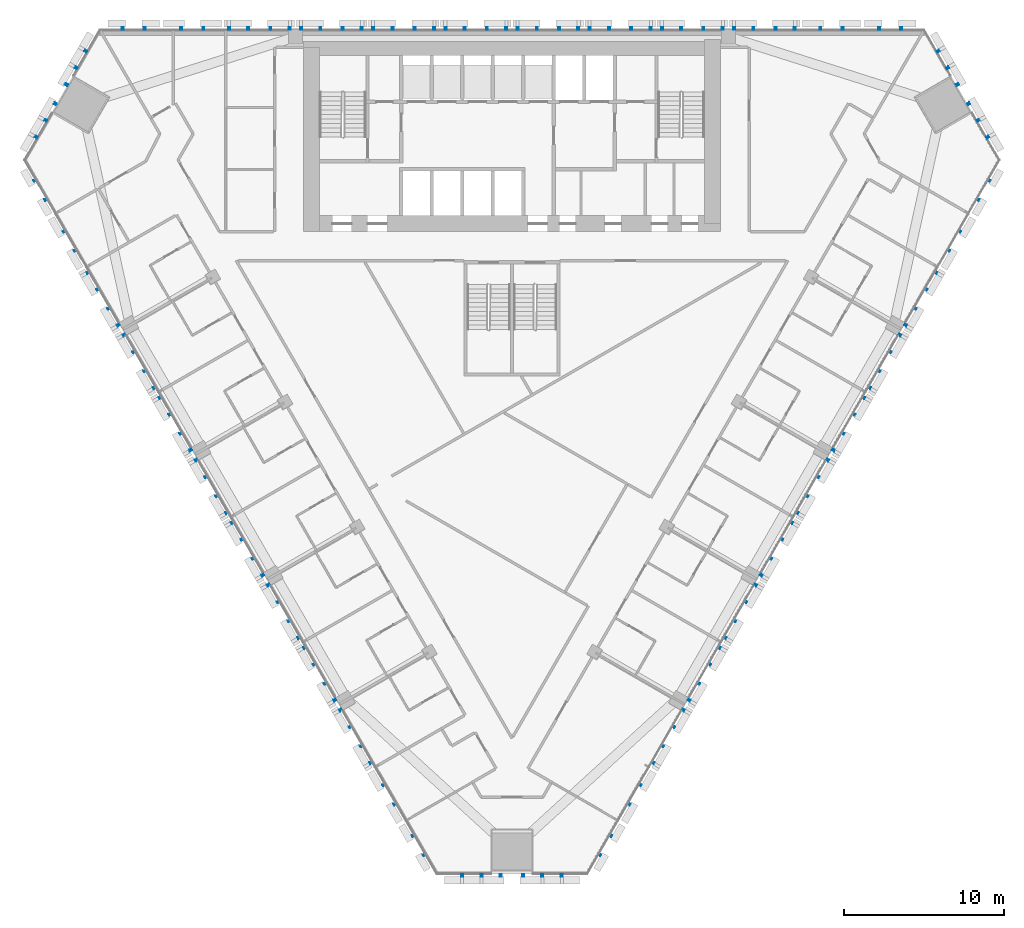
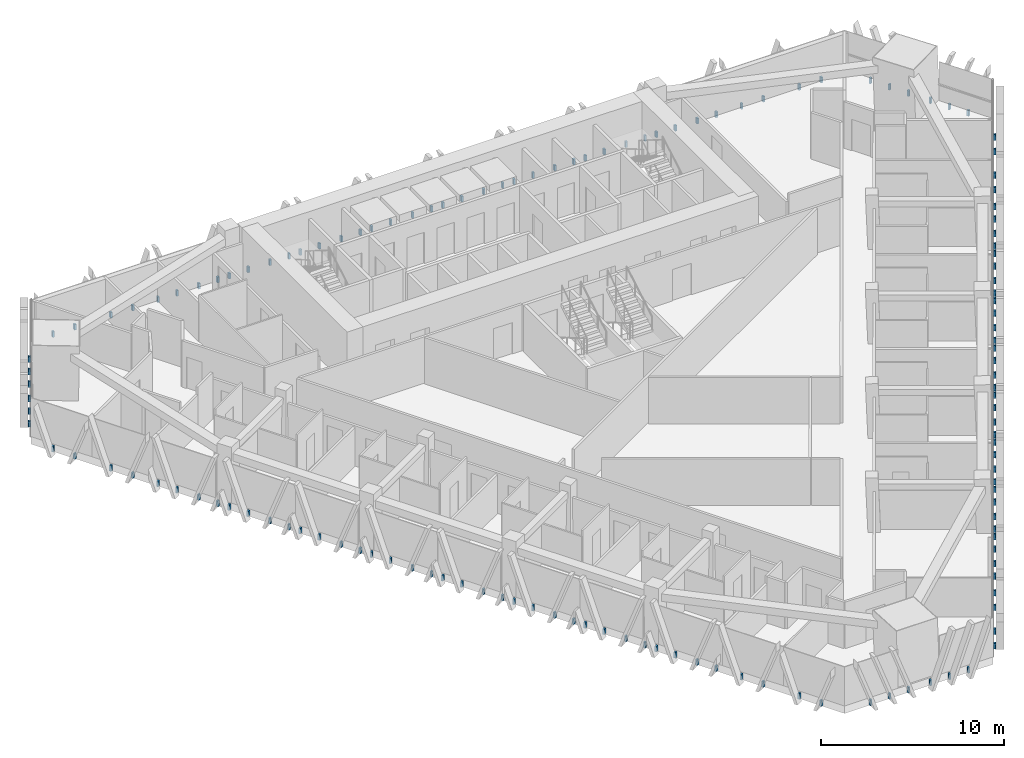
# One storey, part 14 of 17: 6 discrete accessories.
"""IFC4 building model written with IfcOpenShell, lengths in metres."""

from ifc_helpers import new_model, si_unit, direction, frame, origin, place, context, subcontext, project, spatial, polyline, outline, extrude, source, transform, mapped, material, type_object, element, save


model = new_model("IFC4")

# Units and contexts
model_context = context("Model", 3, precision=1e-05, world=origin(), true_north=direction((0.0, 1.0)))
body_context = subcontext(model_context, "Body", "Model", "MODEL_VIEW")
ifc_project = project(units=[si_unit("LENGTHUNIT", "METRE"), si_unit("AREAUNIT", "SQUARE_METRE"), si_unit("VOLUMEUNIT", "CUBIC_METRE"), si_unit("PLANEANGLEUNIT", "RADIAN"), si_unit("MASSUNIT", "GRAM", prefix="KILO")], contexts=[model_context])

# Site, building, storey
site_placement = place(None, origin())
site = spatial("IfcSite", under=ifc_project, at=site_placement, CompositionType="ELEMENT")
building_placement = place(site_placement, origin())
building = spatial("IfcBuilding", under=site, at=building_placement, Name="Altiplano Prism Tower", CompositionType="ELEMENT")
storey_placement = place(building_placement, frame((0.0, 0.0, 55.800048828125)))
storey = spatial("IfcBuildingStorey", under=building, at=storey_placement, Name="L13", CompositionType="ELEMENT", Elevation=55.800048828125)

# Discrete accessories
ifc_material = material(Name="Stainless steel", Category="steel")
discrete_accessory_type = type_object("IfcDiscreteAccessoryType", Name="Stone fin fixing prongs", PredefinedType="USERDEFINED", material=ifc_material)
shared_shape_1 = source(origin(), body_context, "Body", "SweptSolid", [
    extrude(outline(polyline([(-0.7509765625, 0.06005859375), (-0.631103515625, 0.06005859375), (-0.631103515625, 0.43994140625), (-0.7509765625, 0.43994140625), (-0.7509765625, 0.06005859375)])), frame((0.0, 0.0, 0.0), z_axis=(0.0, -1.0, 0.0), x_axis=(1.0, 0.0, 0.0)), (0.0, 0.0, 1.0), 0.14990234375),
    extrude(outline(polyline([(0.631103515625, 0.06005859375), (0.7509765625, 0.06005859375), (0.7509765625, 0.43994140625), (0.631103515625, 0.43994140625), (0.631103515625, 0.06005859375)])), frame((0.0, 0.0, 0.0), z_axis=(0.0, -1.0, 0.0), x_axis=(1.0, 0.0, 0.0)), (0.0, 0.0, 1.0), 0.14990234375),
])
shared_shape_2 = source(origin(), body_context, "Body", "SweptSolid", [
    extrude(outline(polyline([(-0.7509765625, 0.06005859375), (-0.631103515625, 0.06005859375), (-0.631103515625, 0.43994140625), (-0.7509765625, 0.43994140625), (-0.7509765625, 0.06005859375)])), frame((0.0, 0.0, 0.0), z_axis=(0.0, -1.0, 0.0), x_axis=(1.0, 0.0, 0.0)), (0.0, 0.0, 1.0), 0.14990234375),
    extrude(outline(polyline([(0.631103515625, 0.06005859375), (0.7509765625, 0.06005859375), (0.7509765625, 0.43994140625), (0.631103515625, 0.43994140625), (0.631103515625, 0.06005859375)])), frame((0.0, 0.0, 0.0), z_axis=(0.0, -1.0, 0.0), x_axis=(1.0, 0.0, 0.0)), (0.0, 0.0, 1.0), 0.14990234375),
])
shared_shape_3 = source(origin(), body_context, "Body", "SweptSolid", [
    extrude(outline(polyline([(-1.950927734375, 0.06005859375), (-1.8310546875, 0.06005859375), (-1.8310546875, 0.43994140625), (-1.950927734375, 0.43994140625), (-1.950927734375, 0.06005859375)])), frame((0.0, 0.0, 0.0), z_axis=(0.0, -1.0, 0.0), x_axis=(1.0, 0.0, 0.0)), (0.0, 0.0, 1.0), 0.14990234375),
    extrude(outline(polyline([(-0.7509765625, 0.06005859375), (-0.631103515625, 0.06005859375), (-0.631103515625, 0.43994140625), (-0.7509765625, 0.43994140625), (-0.7509765625, 0.06005859375)])), frame((0.0, 0.0, 0.0), z_axis=(0.0, -1.0, 0.0), x_axis=(1.0, 0.0, 0.0)), (0.0, 0.0, 1.0), 0.14990234375),
    extrude(outline(polyline([(0.631103515625, 0.06005859375), (0.7509765625, 0.06005859375), (0.7509765625, 0.43994140625), (0.631103515625, 0.43994140625), (0.631103515625, 0.06005859375)])), frame((0.0, 0.0, 0.0), z_axis=(0.0, -1.0, 0.0), x_axis=(1.0, 0.0, 0.0)), (0.0, 0.0, 1.0), 0.14990234375),
    extrude(outline(polyline([(1.8310546875, 0.06005859375), (1.950927734375, 0.06005859375), (1.950927734375, 0.43994140625), (1.8310546875, 0.43994140625), (1.8310546875, 0.06005859375)])), frame((0.0, 0.0, 0.0), z_axis=(0.0, -1.0, 0.0), x_axis=(1.0, 0.0, 0.0)), (0.0, 0.0, 1.0), 0.14990234375),
])
discrete_accessory_1_placement = place(storey_placement, origin())
element("IfcDiscreteAccessory", 1, at=discrete_accessory_1_placement, inside=storey, type_object=discrete_accessory_type, Name="Fin fixings L13 north face", ObjectType="BRACKET", PredefinedType="USERDEFINED", context=body_context, shape_type="MappedRepresentation", body=[
    mapped(shared_shape_1, transform((108.581787109375, 105.0, -0.5), x_axis=(-1.0, 0.0, 0.0), y_axis=(0.0, -1.0, 0.0), z_axis=(0.0, 0.0, 1.0))),
    mapped(shared_shape_2, transform((104.92724609375, 105.0, -0.5), x_axis=(-1.0, 0.0, 0.0), y_axis=(0.0, -1.0, 0.0), z_axis=(0.0, 0.0, 1.0))),
    mapped(shared_shape_3, transform((100.75, 105.0, -0.5), x_axis=(-1.0, 0.0, 0.0), y_axis=(0.0, -1.0, 0.0), z_axis=(0.0, 0.0, 1.0))),
    mapped(shared_shape_3, transform((96.25, 105.0, -0.5), x_axis=(-1.0, 0.0, 0.0), y_axis=(0.0, -1.0, 0.0), z_axis=(0.0, 0.0, 1.0))),
    mapped(shared_shape_3, transform((91.75, 105.0, -0.5), x_axis=(-1.0, 0.0, 0.0), y_axis=(0.0, -1.0, 0.0), z_axis=(0.0, 0.0, 1.0))),
    mapped(shared_shape_3, transform((87.25, 105.0, -0.5), x_axis=(-1.0, 0.0, 0.0), y_axis=(0.0, -1.0, 0.0), z_axis=(0.0, 0.0, 1.0))),
    mapped(shared_shape_3, transform((82.75, 105.0, -0.5), x_axis=(-1.0, 0.0, 0.0), y_axis=(0.0, -1.0, 0.0), z_axis=(0.0, 0.0, 1.0))),
    mapped(shared_shape_3, transform((78.25, 105.0, -0.5), x_axis=(-1.0, 0.0, 0.0), y_axis=(0.0, -1.0, 0.0), z_axis=(0.0, 0.0, 1.0))),
    mapped(shared_shape_3, transform((73.75, 105.0, -0.5), x_axis=(-1.0, 0.0, 0.0), y_axis=(0.0, -1.0, 0.0), z_axis=(0.0, 0.0, 1.0))),
    mapped(shared_shape_3, transform((69.25, 105.0, -0.5), x_axis=(-1.0, 0.0, 0.0), y_axis=(0.0, -1.0, 0.0), z_axis=(0.0, 0.0, 1.0))),
    mapped(shared_shape_2, transform((65.07275390625, 105.0, -0.5), x_axis=(-1.0, 0.0, 0.0), y_axis=(0.0, -1.0, 0.0), z_axis=(0.0, 0.0, 1.0))),
    mapped(shared_shape_1, transform((61.418212890625, 105.0, -0.5), x_axis=(-1.0, 0.0, 0.0), y_axis=(0.0, -1.0, 0.0), z_axis=(0.0, 0.0, 1.0))),
])
discrete_accessory_2_placement = place(storey_placement, origin())
element("IfcDiscreteAccessory", 2, at=discrete_accessory_2_placement, inside=storey, type_object=discrete_accessory_type, Name="Fin fixings L13 south-west face", ObjectType="BRACKET", PredefinedType="USERDEFINED", context=body_context, shape_type="MappedRepresentation", body=[
    mapped(shared_shape_1, transform((55.66259765625, 95.03076171875, -0.5), x_axis=(0.499999992175, -0.866025408302, 0.0), y_axis=(0.866025408302, 0.499999992175, 0.0), z_axis=(0.0, 0.0, 1.0))),
    mapped(shared_shape_2, transform((57.48974609375, 91.865966796875, -0.5), x_axis=(0.499999992175, -0.866025408302, 0.0), y_axis=(0.866025408302, 0.499999992175, 0.0), z_axis=(0.0, 0.0, 1.0))),
    mapped(shared_shape_3, transform((59.578369140625, 88.248291015625, -0.5), x_axis=(0.499999992175, -0.866025408302, 0.0), y_axis=(0.866025408302, 0.499999992175, 0.0), z_axis=(0.0, 0.0, 1.0))),
    mapped(shared_shape_3, transform((61.828369140625, 84.35107421875, -0.5), x_axis=(0.499999992175, -0.866025408302, 0.0), y_axis=(0.866025408302, 0.499999992175, 0.0), z_axis=(0.0, 0.0, 1.0))),
    mapped(shared_shape_3, transform((64.078369140625, 80.4541015625, -0.5), x_axis=(0.499999992175, -0.866025408302, 0.0), y_axis=(0.866025408302, 0.499999992175, 0.0), z_axis=(0.0, 0.0, 1.0))),
    mapped(shared_shape_3, transform((66.328369140625, 76.556884765625, -0.5), x_axis=(0.499999992175, -0.866025408302, 0.0), y_axis=(0.866025408302, 0.499999992175, 0.0), z_axis=(0.0, 0.0, 1.0))),
    mapped(shared_shape_3, transform((68.578369140625, 72.659912109375, -0.5), x_axis=(0.499999992175, -0.866025408302, 0.0), y_axis=(0.866025408302, 0.499999992175, 0.0), z_axis=(0.0, 0.0, 1.0))),
    mapped(shared_shape_3, transform((70.828369140625, 68.7626953125, -0.5), x_axis=(0.499999992175, -0.866025408302, 0.0), y_axis=(0.866025408302, 0.499999992175, 0.0), z_axis=(0.0, 0.0, 1.0))),
    mapped(shared_shape_3, transform((73.078369140625, 64.865478515625, -0.5), x_axis=(0.499999992175, -0.866025408302, 0.0), y_axis=(0.866025408302, 0.499999992175, 0.0), z_axis=(0.0, 0.0, 1.0))),
    mapped(shared_shape_3, transform((75.328369140625, 60.968505859375, -0.5), x_axis=(0.499999992175, -0.866025408302, 0.0), y_axis=(0.866025408302, 0.499999992175, 0.0), z_axis=(0.0, 0.0, 1.0))),
    mapped(shared_shape_2, transform((77.4169921875, 57.350830078125, -0.5), x_axis=(0.499999992175, -0.866025408302, 0.0), y_axis=(0.866025408302, 0.499999992175, 0.0), z_axis=(0.0, 0.0, 1.0))),
    mapped(shared_shape_1, transform((79.244140625, 54.18603515625, -0.5), x_axis=(0.499999992175, -0.866025408302, 0.0), y_axis=(0.866025408302, 0.499999992175, 0.0), z_axis=(0.0, 0.0, 1.0))),
])
discrete_accessory_3_placement = place(storey_placement, origin())
element("IfcDiscreteAccessory", 3, at=discrete_accessory_3_placement, inside=storey, type_object=discrete_accessory_type, Name="Fin fixings L13 south-east face", ObjectType="BRACKET", PredefinedType="USERDEFINED", context=body_context, shape_type="MappedRepresentation", body=[
    mapped(shared_shape_1, transform((90.755859375, 54.18603515625, -0.5), x_axis=(0.499999992175, 0.866025408302, 0.0), y_axis=(-0.866025408302, 0.499999992175, 0.0), z_axis=(0.0, 0.0, 1.0))),
    mapped(shared_shape_2, transform((92.5830078125, 57.350830078125, -0.5), x_axis=(0.499999992175, 0.866025408302, 0.0), y_axis=(-0.866025408302, 0.499999992175, 0.0), z_axis=(0.0, 0.0, 1.0))),
    mapped(shared_shape_3, transform((94.671630859375, 60.968505859375, -0.5), x_axis=(0.499999992175, 0.866025408302, 0.0), y_axis=(-0.866025408302, 0.499999992175, 0.0), z_axis=(0.0, 0.0, 1.0))),
    mapped(shared_shape_3, transform((96.921630859375, 64.865478515625, -0.5), x_axis=(0.499999992175, 0.866025408302, 0.0), y_axis=(-0.866025408302, 0.499999992175, 0.0), z_axis=(0.0, 0.0, 1.0))),
    mapped(shared_shape_3, transform((99.171630859375, 68.7626953125, -0.5), x_axis=(0.499999992175, 0.866025408302, 0.0), y_axis=(-0.866025408302, 0.499999992175, 0.0), z_axis=(0.0, 0.0, 1.0))),
    mapped(shared_shape_3, transform((101.421630859375, 72.659912109375, -0.5), x_axis=(0.499999992175, 0.866025408302, 0.0), y_axis=(-0.866025408302, 0.499999992175, 0.0), z_axis=(0.0, 0.0, 1.0))),
    mapped(shared_shape_3, transform((103.671630859375, 76.556884765625, -0.5), x_axis=(0.499999992175, 0.866025408302, 0.0), y_axis=(-0.866025408302, 0.499999992175, 0.0), z_axis=(0.0, 0.0, 1.0))),
    mapped(shared_shape_3, transform((105.921630859375, 80.4541015625, -0.5), x_axis=(0.499999992175, 0.866025408302, 0.0), y_axis=(-0.866025408302, 0.499999992175, 0.0), z_axis=(0.0, 0.0, 1.0))),
    mapped(shared_shape_3, transform((108.171630859375, 84.35107421875, -0.5), x_axis=(0.499999992175, 0.866025408302, 0.0), y_axis=(-0.866025408302, 0.499999992175, 0.0), z_axis=(0.0, 0.0, 1.0))),
    mapped(shared_shape_3, transform((110.421630859375, 88.248291015625, -0.5), x_axis=(0.499999992175, 0.866025408302, 0.0), y_axis=(-0.866025408302, 0.499999992175, 0.0), z_axis=(0.0, 0.0, 1.0))),
    mapped(shared_shape_2, transform((112.51025390625, 91.865966796875, -0.5), x_axis=(0.499999992175, 0.866025408302, 0.0), y_axis=(-0.866025408302, 0.499999992175, 0.0), z_axis=(0.0, 0.0, 1.0))),
    mapped(shared_shape_1, transform((114.33740234375, 95.03076171875, -0.5), x_axis=(0.499999992175, 0.866025408302, 0.0), y_axis=(-0.866025408302, 0.499999992175, 0.0), z_axis=(0.0, 0.0, 1.0))),
])
shared_shape_4 = source(origin(), body_context, "Body", "SweptSolid", [
    extrude(outline(polyline([(-3.15087890625, 0.06005859375), (-3.031005859375, 0.06005859375), (-3.031005859375, 0.43994140625), (-3.15087890625, 0.43994140625), (-3.15087890625, 0.06005859375)])), frame((0.0, 0.0, 0.0), z_axis=(0.0, -1.0, 0.0), x_axis=(1.0, 0.0, 0.0)), (0.0, 0.0, 1.0), 0.14990234375),
    extrude(outline(polyline([(-1.950927734375, 0.06005859375), (-1.8310546875, 0.06005859375), (-1.8310546875, 0.43994140625), (-1.950927734375, 0.43994140625), (-1.950927734375, 0.06005859375)])), frame((0.0, 0.0, 0.0), z_axis=(0.0, -1.0, 0.0), x_axis=(1.0, 0.0, 0.0)), (0.0, 0.0, 1.0), 0.14990234375),
    extrude(outline(polyline([(-0.7509765625, 0.06005859375), (-0.631103515625, 0.06005859375), (-0.631103515625, 0.43994140625), (-0.7509765625, 0.43994140625), (-0.7509765625, 0.06005859375)])), frame((0.0, 0.0, 0.0), z_axis=(0.0, -1.0, 0.0), x_axis=(1.0, 0.0, 0.0)), (0.0, 0.0, 1.0), 0.14990234375),
    extrude(outline(polyline([(0.631103515625, 0.06005859375), (0.7509765625, 0.06005859375), (0.7509765625, 0.43994140625), (0.631103515625, 0.43994140625), (0.631103515625, 0.06005859375)])), frame((0.0, 0.0, 0.0), z_axis=(0.0, -1.0, 0.0), x_axis=(1.0, 0.0, 0.0)), (0.0, 0.0, 1.0), 0.14990234375),
    extrude(outline(polyline([(1.8310546875, 0.06005859375), (1.950927734375, 0.06005859375), (1.950927734375, 0.43994140625), (1.8310546875, 0.43994140625), (1.8310546875, 0.06005859375)])), frame((0.0, 0.0, 0.0), z_axis=(0.0, -1.0, 0.0), x_axis=(1.0, 0.0, 0.0)), (0.0, 0.0, 1.0), 0.14990234375),
    extrude(outline(polyline([(3.031005859375, 0.06005859375), (3.15087890625, 0.06005859375), (3.15087890625, 0.43994140625), (3.031005859375, 0.43994140625), (3.031005859375, 0.06005859375)])), frame((0.0, 0.0, 0.0), z_axis=(0.0, -1.0, 0.0), x_axis=(1.0, 0.0, 0.0)), (0.0, 0.0, 1.0), 0.14990234375),
])
discrete_accessory_4_placement = place(storey_placement, origin())
element("IfcDiscreteAccessory", 4, at=discrete_accessory_4_placement, inside=storey, type_object=discrete_accessory_type, Name="Fin fixings L13 north-west chamfer", ObjectType="BRACKET", PredefinedType="USERDEFINED", context=body_context, shape_type="MappedRepresentation", body=[
    mapped(shared_shape_4, transform((56.945068359375, 100.9365234375, -0.5), x_axis=(-0.500000056946, -0.866025370907, 0.0), y_axis=(0.866025370907, -0.500000056946, 0.0), z_axis=(0.0, 0.0, 1.0))),
])
discrete_accessory_5_placement = place(storey_placement, origin())
element("IfcDiscreteAccessory", 5, at=discrete_accessory_5_placement, inside=storey, type_object=discrete_accessory_type, Name="Fin fixings L13 south chamfer", ObjectType="BRACKET", PredefinedType="USERDEFINED", context=body_context, shape_type="MappedRepresentation", body=[
    mapped(shared_shape_4, transform((85.0, 52.34375, -0.5), x_axis=(1.0, 0.0, 0.0), y_axis=(0.0, 1.0, 0.0), z_axis=(0.0, 0.0, 1.0))),
])
discrete_accessory_6_placement = place(storey_placement, origin())
element("IfcDiscreteAccessory", 6, at=discrete_accessory_6_placement, inside=storey, type_object=discrete_accessory_type, Name="Fin fixings L13 north-east chamfer", ObjectType="BRACKET", PredefinedType="USERDEFINED", context=body_context, shape_type="MappedRepresentation", body=[
    mapped(shared_shape_4, transform((113.054931640625, 100.9365234375, -0.5), x_axis=(-0.500000056946, 0.866025370907, 0.0), y_axis=(-0.866025370907, -0.500000056946, 0.0), z_axis=(0.0, 0.0, 1.0))),
])

save(model, "model.ifc")
